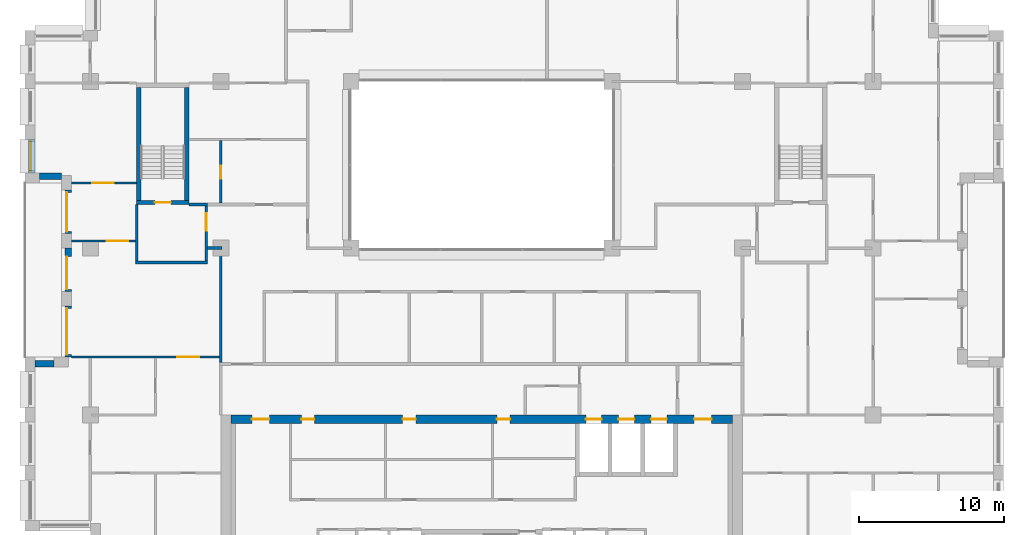
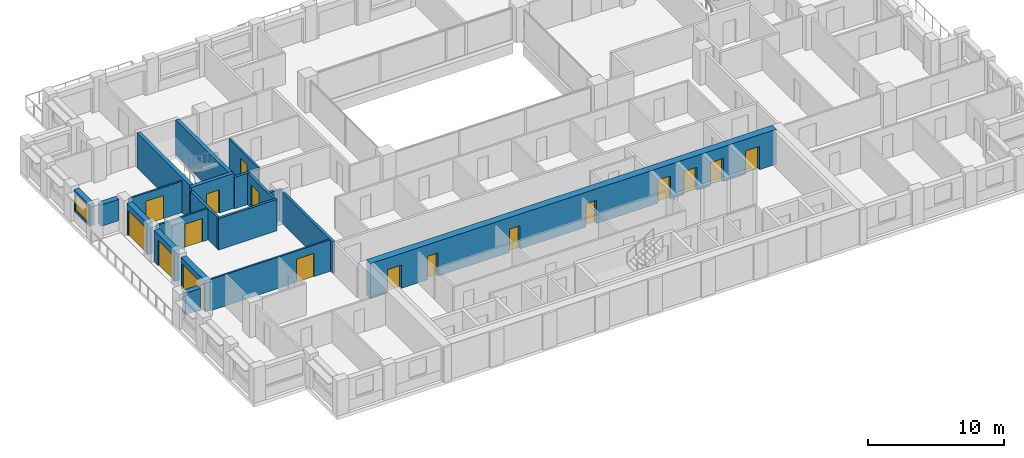
# One storey, part 9 of 16: 20 walls, 17 doors, 1 window, 18 openings.
"""IFC4 building model written with IfcOpenShell, lengths in metres."""

from ifc_helpers import new_model, si_unit, direction, frame, frame_2d, origin, place, context, subcontext, project, spatial, rectangle, extrude, material, layer, layer_set, type_object, element, fill, save


model = new_model("IFC4")

# Units and contexts
model_context = context("Model", 3, precision=1e-05, world=origin(), true_north=direction((0.0, 1.0)))
body_context = subcontext(model_context, "Body", "Model", "MODEL_VIEW")
ifc_project = project(units=[si_unit("LENGTHUNIT", "METRE"), si_unit("AREAUNIT", "SQUARE_METRE"), si_unit("VOLUMEUNIT", "CUBIC_METRE"), si_unit("PLANEANGLEUNIT", "RADIAN"), si_unit("MASSUNIT", "GRAM", prefix="KILO")], contexts=[model_context])

# Site, building, storey
site_placement = place(None, origin())
site = spatial("IfcSite", under=ifc_project, at=site_placement, CompositionType="ELEMENT")
building_placement = place(site_placement, origin())
building = spatial("IfcBuilding", under=site, at=building_placement, Name="Brigalow Station Residences", CompositionType="ELEMENT")
storey_placement = place(building_placement, frame((0.0, 0.0, 179.10009765625)))
storey = spatial("IfcBuildingStorey", under=building, at=storey_placement, Name="L52", CompositionType="ELEMENT", Elevation=179.10009765625)

# Wall, opening, window
ifc_material_1 = material(Name="Clay brick masonry", Category="masonry")
ifc_layer_1 = layer(ifc_material_1, 0.449951171875)
ifc_layer_set_1 = layer_set([ifc_layer_1], Name="BRICK INFILL WALL 450")
wall_type_1 = type_object("IfcWallType", Name="BRICK INFILL WALL 450", PredefinedType="SOLIDWALL", material=ifc_layer_set_1)
wall_1_placement = place(storey_placement, frame((4.97509765625, 31.5, 0.89990234375), z_axis=(0.0, 0.0, 1.0), x_axis=(0.0, -1.0, 0.0)))
wall_1 = element("IfcWall", 1, at=wall_1_placement, inside=storey, type_object=wall_type_1, Name="L52/ewall/W-L52-39", PredefinedType="SOLIDWALL", context=body_context, shape_type="SweptSolid", body=[
    extrude(rectangle(XDim=2.300048828125, YDim=0.449951171875, at=frame_2d((1.14990234375, 0.0))), origin(), (0.0, 0.0, 1.0), 1.929931640625),
])
opening_1_placement = place(wall_1_placement, frame((0.14990234375, 0.0, 0.14990234375)))
opening_1 = element("IfcOpeningElement", 2, at=opening_1_placement, cuts=wall_1, Name="Opening WT-7", PredefinedType="OPENING", context=body_context, shape_type="SweptSolid", body=[
    extrude(rectangle(XDim=2.0, YDim=1.5, at=frame_2d((1.0, 0.75))), frame((0.0, 0.23486328125, 0.0), z_axis=(0.0, -1.0, 0.0), x_axis=(1.0, 0.0, 0.0)), (0.0, 0.0, 1.0), 0.469970703125),
])
ifc_material_2 = material(Name="Anodised aluminium frame with double glazing", Category="aluminium")
window_type = type_object("IfcWindowType", Name="WINDOW 2000x1500", PartitioningType="SINGLE_PANEL", PredefinedType="WINDOW", material=ifc_material_2)
window_placement = place(opening_1_placement, origin())
window = element("IfcWindow", 3, at=window_placement, inside=storey, type_object=window_type, Name="L52/window/W-L52-39", OverallHeight=1.5, OverallWidth=2.0, PartitioningType="SINGLE_PANEL", PredefinedType="WINDOW", context=body_context, shape_type="SweptSolid", body=[
    extrude(rectangle(XDim=2.0, YDim=1.5, at=frame_2d((1.0, 0.75))), frame((0.0, -0.06494140625, 0.0), z_axis=(0.0, -1.0, 0.0), x_axis=(1.0, 0.0, 0.0)), (0.0, 0.0, 1.0), 0.06005859375),
])
fill(opening_1, window)

# Wall
wall_2_placement = place(storey_placement, frame((5.5, 28.97509765625, 0.89990234375), z_axis=(0.0, 0.0, 1.0), x_axis=(1.0, 0.0, 0.0)))
element("IfcWall", 4, at=wall_2_placement, inside=storey, type_object=wall_type_1, Name="L52/ewall/W-L52-40", PredefinedType="SOLIDWALL", context=body_context, shape_type="SweptSolid", body=[
    extrude(rectangle(XDim=1.5, YDim=0.449951171875, at=frame_2d((0.75, 0.0))), origin(), (0.0, 0.0, 1.0), 1.929931640625),
])

# Wall, opening, door
wall_3_placement = place(storey_placement, frame((7.47509765625, 28.0, 0.0), z_axis=(0.0, 0.0, 1.0), x_axis=(0.0, -1.0, 0.0)))
wall_3 = element("IfcWall", 5, at=wall_3_placement, inside=storey, type_object=wall_type_1, Name="L52/ewall/W-L52-41", PredefinedType="SOLIDWALL", context=body_context, shape_type="SweptSolid", body=[
    extrude(rectangle(XDim=3.0, YDim=0.449951171875, at=frame_2d((1.5, 0.0))), origin(), (0.0, 0.0, 1.0), 2.829833984375),
])
opening_2_placement = place(wall_3_placement, frame((0.14990234375, 0.0, 0.0)))
opening_2 = element("IfcOpeningElement", 6, at=opening_2_placement, cuts=wall_3, Name="Opening D-B2700", PredefinedType="OPENING", context=body_context, shape_type="SweptSolid", body=[
    extrude(rectangle(XDim=2.699951171875, YDim=2.300048828125, at=frame_2d((1.35009765625, 1.14990234375))), frame((0.0, 0.23486328125, 0.0), z_axis=(0.0, -1.0, 0.0), x_axis=(1.0, 0.0, 0.0)), (0.0, 0.0, 1.0), 0.469970703125),
])
ifc_material_3 = material(Name="Anodised aluminium frame with double glazing", Category="aluminium")
door_type_1 = type_object("IfcDoorType", Name="BALCONY SLIDING DOOR 2700x2300", OperationType="SLIDING_TO_LEFT", PredefinedType="DOOR", material=ifc_material_3)
door_1_placement = place(opening_2_placement, origin())
door_1 = element("IfcDoor", 7, at=door_1_placement, inside=storey, type_object=door_type_1, Name="L52/balcony-door/W-L52-41", OperationType="SLIDING_TO_LEFT", OverallHeight=2.300048828125, OverallWidth=2.699951171875, PredefinedType="DOOR", context=body_context, shape_type="SweptSolid", body=[
    extrude(rectangle(XDim=2.699951171875, YDim=2.300048828125, at=frame_2d((1.35009765625, 1.14990234375))), frame((0.0, -0.06982421875, 0.0), z_axis=(0.0, -1.0, 0.0), x_axis=(1.0, 0.0, 0.0)), (0.0, 0.0, 1.0), 0.050048828125),
])
fill(opening_2, door_1)

wall_4_placement = place(storey_placement, frame((7.47509765625, 24.0, 0.0), z_axis=(0.0, 0.0, 1.0), x_axis=(0.0, -1.0, 0.0)))
wall_4 = element("IfcWall", 8, at=wall_4_placement, inside=storey, type_object=wall_type_1, Name="L52/ewall/W-L52-42", PredefinedType="SOLIDWALL", context=body_context, shape_type="SweptSolid", body=[
    extrude(rectangle(XDim=3.0, YDim=0.449951171875, at=frame_2d((1.5, 0.0))), origin(), (0.0, 0.0, 1.0), 2.829833984375),
])
opening_3_placement = place(wall_4_placement, frame((0.5849609375, 0.0, 0.0)))
opening_3 = element("IfcOpeningElement", 9, at=opening_3_placement, cuts=wall_4, Name="Opening D-B2250", PredefinedType="OPENING", context=body_context, shape_type="SweptSolid", body=[
    extrude(rectangle(XDim=2.25, YDim=2.300048828125, at=frame_2d((1.125, 1.14990234375))), frame((0.0, 0.23486328125, 0.0), z_axis=(0.0, -1.0, 0.0), x_axis=(1.0, 0.0, 0.0)), (0.0, 0.0, 1.0), 0.469970703125),
])
ifc_material_4 = material(Name="Anodised aluminium frame with double glazing", Category="aluminium")
door_type_2 = type_object("IfcDoorType", Name="BALCONY SLIDING DOOR 2250x2300", OperationType="SLIDING_TO_LEFT", PredefinedType="DOOR", material=ifc_material_4)
door_2_placement = place(opening_3_placement, origin())
door_2 = element("IfcDoor", 10, at=door_2_placement, inside=storey, type_object=door_type_2, Name="L52/balcony-door/W-L52-42", OperationType="SLIDING_TO_LEFT", OverallHeight=2.300048828125, OverallWidth=2.25, PredefinedType="DOOR", context=body_context, shape_type="SweptSolid", body=[
    extrude(rectangle(XDim=2.25, YDim=2.300048828125, at=frame_2d((1.125, 1.14990234375))), frame((0.0, -0.06982421875, 0.0), z_axis=(0.0, -1.0, 0.0), x_axis=(1.0, 0.0, 0.0)), (0.0, 0.0, 1.0), 0.050048828125),
])
fill(opening_3, door_2)

wall_5_placement = place(storey_placement, frame((7.47509765625, 20.0, 0.0), z_axis=(0.0, 0.0, 1.0), x_axis=(0.0, -1.0, 0.0)))
wall_5 = element("IfcWall", 11, at=wall_5_placement, inside=storey, type_object=wall_type_1, Name="L52/ewall/W-L52-43", PredefinedType="SOLIDWALL", context=body_context, shape_type="SweptSolid", body=[
    extrude(rectangle(XDim=3.5, YDim=0.449951171875, at=frame_2d((1.75, 0.0))), origin(), (0.0, 0.0, 1.0), 2.829833984375),
])
opening_4_placement = place(wall_5_placement, frame((0.14990234375, 0.0, 0.0)))
opening_4 = element("IfcOpeningElement", 12, at=opening_4_placement, cuts=wall_5, Name="Opening D-B3200", PredefinedType="OPENING", context=body_context, shape_type="SweptSolid", body=[
    extrude(rectangle(XDim=3.199951171875, YDim=2.300048828125, at=frame_2d((1.60009765625, 1.14990234375))), frame((0.0, 0.23486328125, 0.0), z_axis=(0.0, -1.0, 0.0), x_axis=(1.0, 0.0, 0.0)), (0.0, 0.0, 1.0), 0.469970703125),
])
ifc_material_5 = material(Name="Anodised aluminium frame with double glazing", Category="aluminium")
door_type_3 = type_object("IfcDoorType", Name="BALCONY SLIDING DOOR 3200x2300", OperationType="SLIDING_TO_LEFT", PredefinedType="DOOR", material=ifc_material_5)
door_3_placement = place(opening_4_placement, origin())
door_3 = element("IfcDoor", 13, at=door_3_placement, inside=storey, type_object=door_type_3, Name="L52/balcony-door/W-L52-43", OperationType="SLIDING_TO_LEFT", OverallHeight=2.300048828125, OverallWidth=3.199951171875, PredefinedType="DOOR", context=body_context, shape_type="SweptSolid", body=[
    extrude(rectangle(XDim=3.199951171875, YDim=2.300048828125, at=frame_2d((1.60009765625, 1.14990234375))), frame((0.0, -0.06982421875, 0.0), z_axis=(0.0, -1.0, 0.0), x_axis=(1.0, 0.0, 0.0)), (0.0, 0.0, 1.0), 0.050048828125),
])
fill(opening_4, door_3)

# Wall
wall_6_placement = place(storey_placement, frame((6.5, 16.02490234375, 0.89990234375), z_axis=(0.0, 0.0, 1.0), x_axis=(-1.0, 0.0, 0.0)))
element("IfcWall", 14, at=wall_6_placement, inside=storey, type_object=wall_type_1, Name="L52/ewall/W-L52-44", PredefinedType="SOLIDWALL", context=body_context, shape_type="SweptSolid", body=[
    extrude(rectangle(XDim=1.300048828125, YDim=0.449951171875, at=frame_2d((0.64990234375, 0.0))), origin(), (0.0, 0.0, 1.0), 1.929931640625),
])

# Wall, opening, door
ifc_material_6 = material(Name="Concrete C65", Category="concrete")
ifc_layer_2 = layer(ifc_material_6, 0.300048828125)
ifc_layer_set_2 = layer_set([ifc_layer_2], Name="CORE SHEAR WALL 300 C65")
wall_type_2 = type_object("IfcWallType", Name="CORE SHEAR WALL 300 C65", PredefinedType="SHEAR", material=ifc_layer_set_2)
wall_7_placement = place(storey_placement, frame((12.199951171875, 27.14990234375, 0.0), z_axis=(0.0, 0.0, 1.0), x_axis=(1.0, 0.0, 0.0)))
wall_7 = element("IfcWall", 15, at=wall_7_placement, inside=storey, type_object=wall_type_2, Name="CORE WALL ST-S1-S L52", PredefinedType="SHEAR", context=body_context, shape_type="SweptSolid", body=[
    extrude(rectangle(XDim=3.60009765625, YDim=0.300048828125, at=frame_2d((1.800048828125, 0.0))), origin(), (0.0, 0.0, 1.0), 3.14990234375),
])
opening_5_placement = place(wall_7_placement, frame((1.25, 0.0, 0.0)))
opening_5 = element("IfcOpeningElement", 16, at=opening_5_placement, cuts=wall_7, Name="Opening D-5015", PredefinedType="OPENING", context=body_context, shape_type="SweptSolid", body=[
    extrude(rectangle(XDim=1.10009765625, YDim=2.10009765625, at=frame_2d((0.550048828125, 1.050048828125))), frame((0.0, 0.16015625, 0.0), z_axis=(0.0, -1.0, 0.0), x_axis=(1.0, 0.0, 0.0)), (0.0, 0.0, 1.0), 0.320068359375),
])
ifc_material_7 = material(Name="Steel fire door leaf in steel frame", Category="steel")
door_type_4 = type_object("IfcDoorType", Name="STAIR DOOR 1100 x 2100 FD60S", OperationType="SINGLE_SWING_LEFT", PredefinedType="DOOR", material=ifc_material_7)
door_4_placement = place(opening_5_placement, origin())
door_4 = element("IfcDoor", 17, at=door_4_placement, inside=storey, type_object=door_type_4, Name="D-5015", OperationType="SINGLE_SWING_LEFT", OverallHeight=2.10009765625, OverallWidth=1.10009765625, PredefinedType="DOOR", context=body_context, shape_type="SweptSolid", body=[
    extrude(rectangle(XDim=1.10009765625, YDim=2.10009765625, at=frame_2d((0.550048828125, 1.050048828125))), frame((0.0, 0.02490234375, 0.0), z_axis=(0.0, -1.0, 0.0), x_axis=(1.0, 0.0, 0.0)), (0.0, 0.0, 1.0), 0.050048828125),
])
fill(opening_5, door_4)

# Walls
for number, where, z_axis, x_axis, name in (
    (18, (12.35009765625, 27.300048828125, 0.0), (0.0, 0.0, 1.0), (0.0, 1.0, 0.0), "CORE WALL ST-S1-W L52"),
    (19, (15.64990234375, 27.300048828125, 0.0), (0.0, 0.0, 1.0), (0.0, 1.0, 0.0), "CORE WALL ST-S1-E L52"),
):
    element("IfcWall", number, at=place(storey_placement, frame(where, z_axis=z_axis, x_axis=x_axis)), inside=storey, type_object=wall_type_2, Name=name, PredefinedType="SHEAR", context=body_context, shape_type="SweptSolid", body=[
        extrude(rectangle(XDim=7.800048828125, YDim=0.300048828125, at=frame_2d((3.89990234375, 0.0))), origin(), (0.0, 0.0, 1.0), 3.14990234375),
    ])

# Wall, openings, doors
ifc_material_8 = material(Name="Concrete C65", Category="concrete")
ifc_layer_3 = layer(ifc_material_8, 0.60009765625)
ifc_layer_set_3 = layer_set([ifc_layer_3], Name="CORE SHEAR WALL 600 C65")
wall_type_3 = type_object("IfcWallType", Name="CORE SHEAR WALL 600 C65", PredefinedType="SHEAR", material=ifc_layer_set_3)
wall_8_placement = place(storey_placement, frame((18.699951171875, 12.199951171875, 0.0), z_axis=(0.0, 0.0, 1.0), x_axis=(1.0, 0.0, 0.0)))
wall_8 = element("IfcWall", 20, at=wall_8_placement, inside=storey, type_object=wall_type_3, Name="CORE WALL OUT-N L52", PredefinedType="SHEAR", context=body_context, shape_type="SweptSolid", body=[
    extrude(rectangle(XDim=34.60009765625, YDim=0.60009765625, at=frame_2d((17.300048828125, 0.0))), origin(), (0.0, 0.0, 1.0), 3.14990234375),
])
opening_6_placement = place(wall_8_placement, frame((24.47509765625, 0.0, 0.0)))
opening_6 = element("IfcOpeningElement", 21, at=opening_6_placement, cuts=wall_8, Name="Opening LD-LF1", PredefinedType="OPENING", context=body_context, shape_type="SweptSolid", body=[
    extrude(rectangle(XDim=1.10009765625, YDim=2.10009765625, at=frame_2d((0.550048828125, 1.050048828125))), frame((0.0, 0.31005859375, 0.0), z_axis=(0.0, -1.0, 0.0), x_axis=(1.0, 0.0, 0.0)), (0.0, 0.0, 1.0), 0.6201171875),
])
opening_7_placement = place(wall_8_placement, frame((26.72509765625, 0.0, 0.0)))
opening_7 = element("IfcOpeningElement", 22, at=opening_7_placement, cuts=wall_8, Name="Opening LD-LF2", PredefinedType="OPENING", context=body_context, shape_type="SweptSolid", body=[
    extrude(rectangle(XDim=1.10009765625, YDim=2.10009765625, at=frame_2d((0.550048828125, 1.050048828125))), frame((0.0, 0.31005859375, 0.0), z_axis=(0.0, -1.0, 0.0), x_axis=(1.0, 0.0, 0.0)), (0.0, 0.0, 1.0), 0.6201171875),
])
opening_8_placement = place(wall_8_placement, frame((28.97509765625, 0.0, 0.0)))
opening_8 = element("IfcOpeningElement", 23, at=opening_8_placement, cuts=wall_8, Name="Opening LD-LG1", PredefinedType="OPENING", context=body_context, shape_type="SweptSolid", body=[
    extrude(rectangle(XDim=1.10009765625, YDim=2.10009765625, at=frame_2d((0.550048828125, 1.050048828125))), frame((0.0, 0.31005859375, 0.0), z_axis=(0.0, -1.0, 0.0), x_axis=(1.0, 0.0, 0.0)), (0.0, 0.0, 1.0), 0.6201171875),
])
opening_9_placement = place(wall_8_placement, frame((4.85009765625, 0.0, 0.0)))
opening_9 = element("IfcOpeningElement", 24, at=opening_9_placement, cuts=wall_8, Name="Opening D-5118", PredefinedType="OPENING", context=body_context, shape_type="SweptSolid", body=[
    extrude(rectangle(XDim=0.89990234375, YDim=2.10009765625, at=frame_2d((0.449951171875, 1.050048828125))), frame((0.0, 0.31005859375, 0.0), z_axis=(0.0, -1.0, 0.0), x_axis=(1.0, 0.0, 0.0)), (0.0, 0.0, 1.0), 0.6201171875),
])
opening_10_placement = place(wall_8_placement, frame((11.85009765625, 0.0, 0.0)))
opening_10 = element("IfcOpeningElement", 25, at=opening_10_placement, cuts=wall_8, Name="Opening D-5122", PredefinedType="OPENING", context=body_context, shape_type="SweptSolid", body=[
    extrude(rectangle(XDim=0.89990234375, YDim=2.10009765625, at=frame_2d((0.449951171875, 1.050048828125))), frame((0.0, 0.31005859375, 0.0), z_axis=(0.0, -1.0, 0.0), x_axis=(1.0, 0.0, 0.0)), (0.0, 0.0, 1.0), 0.6201171875),
])
opening_11_placement = place(wall_8_placement, frame((18.35009765625, 0.0, 0.0)))
opening_11 = element("IfcOpeningElement", 26, at=opening_11_placement, cuts=wall_8, Name="Opening D-5119", PredefinedType="OPENING", context=body_context, shape_type="SweptSolid", body=[
    extrude(rectangle(XDim=0.89990234375, YDim=2.10009765625, at=frame_2d((0.449951171875, 1.050048828125))), frame((0.0, 0.31005859375, 0.0), z_axis=(0.0, -1.0, 0.0), x_axis=(1.0, 0.0, 0.0)), (0.0, 0.0, 1.0), 0.6201171875),
])
opening_12_placement = place(wall_8_placement, frame((1.449951171875, 0.0, 0.0)))
opening_12 = element("IfcOpeningElement", 27, at=opening_12_placement, cuts=wall_8, Name="Opening D-5011", PredefinedType="OPENING", context=body_context, shape_type="SweptSolid", body=[
    extrude(rectangle(XDim=1.199951171875, YDim=2.10009765625, at=frame_2d((0.60009765625, 1.050048828125))), frame((0.0, 0.31005859375, 0.0), z_axis=(0.0, -1.0, 0.0), x_axis=(1.0, 0.0, 0.0)), (0.0, 0.0, 1.0), 0.6201171875),
])
opening_13_placement = place(wall_8_placement, frame((31.949951171875, 0.0, 0.0)))
opening_13 = element("IfcOpeningElement", 28, at=opening_13_placement, cuts=wall_8, Name="Opening D-5012", PredefinedType="OPENING", context=body_context, shape_type="SweptSolid", body=[
    extrude(rectangle(XDim=1.199951171875, YDim=2.10009765625, at=frame_2d((0.60009765625, 1.050048828125))), frame((0.0, 0.31005859375, 0.0), z_axis=(0.0, -1.0, 0.0), x_axis=(1.0, 0.0, 0.0)), (0.0, 0.0, 1.0), 0.6201171875),
])
ifc_material_9 = material(Name="Steel fire door leaf in steel frame", Category="steel")
door_type_5 = type_object("IfcDoorType", Name="CORE CORRIDOR DOOR 1200 x 2100 FD60S", OperationType="SINGLE_SWING_LEFT", PredefinedType="DOOR", material=ifc_material_9)
door_5_placement = place(opening_12_placement, frame((1.199951171875, 0.0, 0.0), z_axis=(0.0, 0.0, 1.0), x_axis=(-1.0, 0.0, 0.0)))
door_5 = element("IfcDoor", 29, at=door_5_placement, inside=storey, type_object=door_type_5, Name="D-5011", OperationType="SINGLE_SWING_LEFT", OverallHeight=2.10009765625, OverallWidth=1.199951171875, PredefinedType="DOOR", context=body_context, shape_type="SweptSolid", body=[
    extrude(rectangle(XDim=1.199951171875, YDim=2.10009765625, at=frame_2d((0.60009765625, 1.050048828125))), frame((0.0, 0.02490234375, 0.0), z_axis=(0.0, -1.0, 0.0), x_axis=(1.0, 0.0, 0.0)), (0.0, 0.0, 1.0), 0.050048828125),
])
fill(opening_12, door_5)
door_6_placement = place(opening_13_placement, frame((1.199951171875, 0.0, 0.0), z_axis=(0.0, 0.0, 1.0), x_axis=(-1.0, 0.0, 0.0)))
door_6 = element("IfcDoor", 30, at=door_6_placement, inside=storey, type_object=door_type_5, Name="D-5012", OperationType="SINGLE_SWING_LEFT", OverallHeight=2.10009765625, OverallWidth=1.199951171875, PredefinedType="DOOR", context=body_context, shape_type="SweptSolid", body=[
    extrude(rectangle(XDim=1.199951171875, YDim=2.10009765625, at=frame_2d((0.60009765625, 1.050048828125))), frame((0.0, 0.02490234375, 0.0), z_axis=(0.0, -1.0, 0.0), x_axis=(1.0, 0.0, 0.0)), (0.0, 0.0, 1.0), 0.050048828125),
])
fill(opening_13, door_6)
ifc_material_10 = material(Name="Stainless steel sliding door leaves", Category="steel")
door_type_6 = type_object("IfcDoorType", Name="LIFT LANDING DOOR 1100 x 2100", OperationType="DOUBLE_DOOR_SLIDING", PredefinedType="DOOR", material=ifc_material_10)
door_7_placement = place(opening_6_placement, origin())
door_7 = element("IfcDoor", 31, at=door_7_placement, inside=storey, type_object=door_type_6, Name="LANDING DOOR LF1", OperationType="DOUBLE_DOOR_SLIDING", OverallHeight=2.10009765625, OverallWidth=1.10009765625, PredefinedType="DOOR", context=body_context, shape_type="SweptSolid", body=[
    extrude(rectangle(XDim=1.10009765625, YDim=2.10009765625, at=frame_2d((0.550048828125, 1.050048828125))), frame((0.0, 0.02490234375, 0.0), z_axis=(0.0, -1.0, 0.0), x_axis=(1.0, 0.0, 0.0)), (0.0, 0.0, 1.0), 0.050048828125),
])
fill(opening_6, door_7)
door_8_placement = place(opening_7_placement, origin())
door_8 = element("IfcDoor", 32, at=door_8_placement, inside=storey, type_object=door_type_6, Name="LANDING DOOR LF2", OperationType="DOUBLE_DOOR_SLIDING", OverallHeight=2.10009765625, OverallWidth=1.10009765625, PredefinedType="DOOR", context=body_context, shape_type="SweptSolid", body=[
    extrude(rectangle(XDim=1.10009765625, YDim=2.10009765625, at=frame_2d((0.550048828125, 1.050048828125))), frame((0.0, 0.02490234375, 0.0), z_axis=(0.0, -1.0, 0.0), x_axis=(1.0, 0.0, 0.0)), (0.0, 0.0, 1.0), 0.050048828125),
])
fill(opening_7, door_8)
door_9_placement = place(opening_8_placement, origin())
door_9 = element("IfcDoor", 33, at=door_9_placement, inside=storey, type_object=door_type_6, Name="LANDING DOOR LG1", OperationType="DOUBLE_DOOR_SLIDING", OverallHeight=2.10009765625, OverallWidth=1.10009765625, PredefinedType="DOOR", context=body_context, shape_type="SweptSolid", body=[
    extrude(rectangle(XDim=1.10009765625, YDim=2.10009765625, at=frame_2d((0.550048828125, 1.050048828125))), frame((0.0, 0.02490234375, 0.0), z_axis=(0.0, -1.0, 0.0), x_axis=(1.0, 0.0, 0.0)), (0.0, 0.0, 1.0), 0.050048828125),
])
fill(opening_8, door_9)
ifc_material_11 = material(Name="Steel door leaf in steel frame", Category="steel")
door_type_7 = type_object("IfcDoorType", Name="SERVICE ROOM DOOR 900 x 2100 FD60", OperationType="SINGLE_SWING_LEFT", PredefinedType="DOOR", material=ifc_material_11)
door_10_placement = place(opening_9_placement, frame((0.89990234375, 0.0, 0.0), z_axis=(0.0, 0.0, 1.0), x_axis=(-1.0, 0.0, 0.0)))
door_10 = element("IfcDoor", 34, at=door_10_placement, inside=storey, type_object=door_type_7, Name="D-5118", OperationType="SINGLE_SWING_RIGHT", OverallHeight=2.10009765625, OverallWidth=0.89990234375, PredefinedType="DOOR", context=body_context, shape_type="SweptSolid", body=[
    extrude(rectangle(XDim=0.89990234375, YDim=2.10009765625, at=frame_2d((0.449951171875, 1.050048828125))), frame((0.0, 0.02490234375, 0.0), z_axis=(0.0, -1.0, 0.0), x_axis=(1.0, 0.0, 0.0)), (0.0, 0.0, 1.0), 0.050048828125),
])
fill(opening_9, door_10)
door_11_placement = place(opening_10_placement, frame((0.89990234375, 0.0, 0.0), z_axis=(0.0, 0.0, 1.0), x_axis=(-1.0, 0.0, 0.0)))
door_11 = element("IfcDoor", 35, at=door_11_placement, inside=storey, type_object=door_type_7, Name="D-5122", OperationType="SINGLE_SWING_RIGHT", OverallHeight=2.10009765625, OverallWidth=0.89990234375, PredefinedType="DOOR", context=body_context, shape_type="SweptSolid", body=[
    extrude(rectangle(XDim=0.89990234375, YDim=2.10009765625, at=frame_2d((0.449951171875, 1.050048828125))), frame((0.0, 0.02490234375, 0.0), z_axis=(0.0, -1.0, 0.0), x_axis=(1.0, 0.0, 0.0)), (0.0, 0.0, 1.0), 0.050048828125),
])
fill(opening_10, door_11)
door_12_placement = place(opening_11_placement, frame((0.89990234375, 0.0, 0.0), z_axis=(0.0, 0.0, 1.0), x_axis=(-1.0, 0.0, 0.0)))
door_12 = element("IfcDoor", 36, at=door_12_placement, inside=storey, type_object=door_type_7, Name="D-5119", OperationType="SINGLE_SWING_RIGHT", OverallHeight=2.10009765625, OverallWidth=0.89990234375, PredefinedType="DOOR", context=body_context, shape_type="SweptSolid", body=[
    extrude(rectangle(XDim=0.89990234375, YDim=2.10009765625, at=frame_2d((0.449951171875, 1.050048828125))), frame((0.0, 0.02490234375, 0.0), z_axis=(0.0, -1.0, 0.0), x_axis=(1.0, 0.0, 0.0)), (0.0, 0.0, 1.0), 0.050048828125),
])
fill(opening_11, door_12)

# Walls
ifc_material_12 = material(Name="Concrete blockwork", Category="masonry")
ifc_layer_4 = layer(ifc_material_12, 0.199951171875)
ifc_layer_set_4 = layer_set([ifc_layer_4], Name="FIRE RATED CORE PARTITION 200")
wall_type_4 = type_object("IfcWallType", Name="FIRE RATED CORE PARTITION 200", PredefinedType="PARTITIONING", material=ifc_layer_set_4)
wall_9_placement = place(storey_placement, frame((12.10009765625, 23.0, 0.0), z_axis=(0.0, 0.0, 1.0), x_axis=(1.0, 0.0, 0.0)))
element("IfcWall", 37, at=wall_9_placement, inside=storey, type_object=wall_type_4, Name="PW-5023", PredefinedType="PARTITIONING", context=body_context, shape_type="SweptSolid", body=[
    extrude(rectangle(XDim=5.0, YDim=0.199951171875, at=frame_2d((2.5, 0.0))), origin(), (0.0, 0.0, 1.0), 2.829833984375),
])
wall_10_placement = place(storey_placement, frame((15.800048828125, 27.0, 0.0), z_axis=(0.0, 0.0, 1.0), x_axis=(1.0, 0.0, 0.0)))
element("IfcWall", 38, at=wall_10_placement, inside=storey, type_object=wall_type_4, Name="PW-5025", PredefinedType="PARTITIONING", context=body_context, shape_type="SweptSolid", body=[
    extrude(rectangle(XDim=1.300048828125, YDim=0.199951171875, at=frame_2d((0.64990234375, 0.0))), origin(), (0.0, 0.0, 1.0), 2.829833984375),
])
wall_11_placement = place(storey_placement, frame((12.199951171875, 23.10009765625, 0.0), z_axis=(0.0, 0.0, 1.0), x_axis=(0.0, 1.0, 0.0)))
element("IfcWall", 39, at=wall_11_placement, inside=storey, type_object=wall_type_4, Name="PW-5034", PredefinedType="PARTITIONING", context=body_context, shape_type="SweptSolid", body=[
    extrude(rectangle(XDim=3.89990234375, YDim=0.199951171875, at=frame_2d((1.949951171875, 0.0))), origin(), (0.0, 0.0, 1.0), 2.829833984375),
])

# Wall, opening, door
wall_12_placement = place(storey_placement, frame((17.0, 23.10009765625, 0.0), z_axis=(0.0, 0.0, 1.0), x_axis=(0.0, 1.0, 0.0)))
wall_12 = element("IfcWall", 40, at=wall_12_placement, inside=storey, type_object=wall_type_4, Name="PW-5035", PredefinedType="PARTITIONING", context=body_context, shape_type="SweptSolid", body=[
    extrude(rectangle(XDim=3.7998046875, YDim=0.199951171875, at=frame_2d((1.89990234375, 0.0))), origin(), (0.0, 0.0, 1.0), 2.829833984375),
])
opening_14_placement = place(wall_12_placement, frame((2.10009765625, 0.0, 0.0)))
opening_14 = element("IfcOpeningElement", 41, at=opening_14_placement, cuts=wall_12, Name="Opening D-5016", PredefinedType="OPENING", context=body_context, shape_type="SweptSolid", body=[
    extrude(rectangle(XDim=1.199951171875, YDim=2.10009765625, at=frame_2d((0.60009765625, 1.050048828125))), frame((0.0, 0.10986328125, 0.0), z_axis=(0.0, -1.0, 0.0), x_axis=(1.0, 0.0, 0.0)), (0.0, 0.0, 1.0), 0.219970703125),
])
ifc_material_13 = material(Name="Steel fire door leaf in steel frame", Category="steel")
door_type_8 = type_object("IfcDoorType", Name="STAIR LOBBY DOOR 1200 x 2100 FD60S", OperationType="SINGLE_SWING_LEFT", PredefinedType="DOOR", material=ifc_material_13)
door_13_placement = place(opening_14_placement, origin())
door_13 = element("IfcDoor", 42, at=door_13_placement, inside=storey, type_object=door_type_8, Name="D-5016", OperationType="SINGLE_SWING_RIGHT", OverallHeight=2.10009765625, OverallWidth=1.199951171875, PredefinedType="DOOR", context=body_context, shape_type="SweptSolid", body=[
    extrude(rectangle(XDim=1.199951171875, YDim=2.10009765625, at=frame_2d((0.60009765625, 1.050048828125))), frame((0.0, 0.02490234375, 0.0), z_axis=(0.0, -1.0, 0.0), x_axis=(1.0, 0.0, 0.0)), (0.0, 0.0, 1.0), 0.050048828125),
])
fill(opening_14, door_13)

ifc_material_14 = material(Name="Plasterboard on steel stud partition", Category="steel")
ifc_layer_5 = layer(ifc_material_14, 0.14990234375)
ifc_layer_set_5 = layer_set([ifc_layer_5], Name="FLAT PARTITION 150")
wall_type_5 = type_object("IfcWallType", Name="FLAT PARTITION 150", PredefinedType="PARTITIONING", material=ifc_layer_set_5)
wall_13_placement = place(storey_placement, frame((7.699951171875, 28.5, 0.0), z_axis=(0.0, 0.0, 1.0), x_axis=(1.0, 0.0, 0.0)))
wall_13 = element("IfcWall", 43, at=wall_13_placement, inside=storey, type_object=wall_type_5, Name="PW-3F16", PredefinedType="PARTITIONING", context=body_context, shape_type="SweptSolid", body=[
    extrude(rectangle(XDim=4.5, YDim=0.14990234375, at=frame_2d((2.25, 0.0))), origin(), (0.0, 0.0, 1.0), 2.829833984375),
])
opening_15_placement = place(wall_13_placement, frame((1.425048828125, 0.0, 0.0)))
opening_15 = element("IfcOpeningElement", 44, at=opening_15_placement, cuts=wall_13, Name="Opening D-3F10", PredefinedType="OPENING", context=body_context, shape_type="SweptSolid", body=[
    extrude(rectangle(XDim=1.5, YDim=2.10009765625, at=frame_2d((0.75, 1.050048828125))), frame((0.0, 0.0849609375, 0.0), z_axis=(0.0, -1.0, 0.0), x_axis=(1.0, 0.0, 0.0)), (0.0, 0.0, 1.0), 0.169921875),
])
ifc_material_15 = material(Name="Solid-core timber door leaf", Category="wood")
door_type_9 = type_object("IfcDoorType", Name="INTERNAL DOUBLE DOOR 1500 x 2100", OperationType="DOUBLE_DOOR_SINGLE_SWING", PredefinedType="DOOR", material=ifc_material_15)
door_14_placement = place(opening_15_placement, frame((1.5, 0.0, 0.0), z_axis=(0.0, 0.0, 1.0), x_axis=(-1.0, 0.0, 0.0)))
door_14 = element("IfcDoor", 45, at=door_14_placement, inside=storey, type_object=door_type_9, Name="D-3F10", OperationType="DOUBLE_DOOR_SINGLE_SWING", OverallHeight=2.10009765625, OverallWidth=1.5, PredefinedType="DOOR", context=body_context, shape_type="SweptSolid", body=[
    extrude(rectangle(XDim=1.5, YDim=2.10009765625, at=frame_2d((0.75, 1.050048828125))), frame((0.0, 0.02490234375, 0.0), z_axis=(0.0, -1.0, 0.0), x_axis=(1.0, 0.0, 0.0)), (0.0, 0.0, 1.0), 0.050048828125),
])
fill(opening_15, door_14)

wall_14_placement = place(storey_placement, frame((7.699951171875, 24.5, 0.0), z_axis=(0.0, 0.0, 1.0), x_axis=(1.0, 0.0, 0.0)))
wall_14 = element("IfcWall", 46, at=wall_14_placement, inside=storey, type_object=wall_type_5, Name="PW-3F17", PredefinedType="PARTITIONING", context=body_context, shape_type="SweptSolid", body=[
    extrude(rectangle(XDim=4.400146484375, YDim=0.14990234375, at=frame_2d((2.2001953125, 0.0))), origin(), (0.0, 0.0, 1.0), 2.829833984375),
])
opening_16_placement = place(wall_14_placement, frame((2.425048828125, 0.0, 0.0)))
opening_16 = element("IfcOpeningElement", 47, at=opening_16_placement, cuts=wall_14, Name="Opening D-3F11", PredefinedType="OPENING", context=body_context, shape_type="SweptSolid", body=[
    extrude(rectangle(XDim=1.5, YDim=2.10009765625, at=frame_2d((0.75, 1.050048828125))), frame((0.0, 0.0849609375, 0.0), z_axis=(0.0, -1.0, 0.0), x_axis=(1.0, 0.0, 0.0)), (0.0, 0.0, 1.0), 0.169921875),
])
door_15_placement = place(opening_16_placement, origin())
door_15 = element("IfcDoor", 48, at=door_15_placement, inside=storey, type_object=door_type_9, Name="D-3F11", OperationType="DOUBLE_DOOR_SINGLE_SWING", OverallHeight=2.10009765625, OverallWidth=1.5, PredefinedType="DOOR", context=body_context, shape_type="SweptSolid", body=[
    extrude(rectangle(XDim=1.5, YDim=2.10009765625, at=frame_2d((0.75, 1.050048828125))), frame((0.0, 0.02490234375, 0.0), z_axis=(0.0, -1.0, 0.0), x_axis=(1.0, 0.0, 0.0)), (0.0, 0.0, 1.0), 0.050048828125),
])
fill(opening_16, door_15)

wall_15_placement = place(storey_placement, frame((7.699951171875, 16.5, 0.0), z_axis=(0.0, 0.0, 1.0), x_axis=(1.0, 0.0, 0.0)))
wall_15 = element("IfcWall", 49, at=wall_15_placement, inside=storey, type_object=wall_type_5, Name="PW-3F19", PredefinedType="PARTITIONING", context=body_context, shape_type="SweptSolid", body=[
    extrude(rectangle(XDim=10.199951171875, YDim=0.14990234375, at=frame_2d((5.10009765625, 0.0))), origin(), (0.0, 0.0, 1.0), 2.829833984375),
])
opening_17_placement = place(wall_15_placement, frame((7.300048828125, 0.0, 0.0)))
opening_17 = element("IfcOpeningElement", 50, at=opening_17_placement, cuts=wall_15, Name="Opening D-3F12", PredefinedType="OPENING", context=body_context, shape_type="SweptSolid", body=[
    extrude(rectangle(XDim=1.5, YDim=2.10009765625, at=frame_2d((0.75, 1.050048828125))), frame((0.0, 0.0849609375, 0.0), z_axis=(0.0, -1.0, 0.0), x_axis=(1.0, 0.0, 0.0)), (0.0, 0.0, 1.0), 0.169921875),
])
door_16_placement = place(opening_17_placement, frame((1.5, 0.0, 0.0), z_axis=(0.0, 0.0, 1.0), x_axis=(-1.0, 0.0, 0.0)))
door_16 = element("IfcDoor", 51, at=door_16_placement, inside=storey, type_object=door_type_9, Name="D-3F12", OperationType="DOUBLE_DOOR_SINGLE_SWING", OverallHeight=2.10009765625, OverallWidth=1.5, PredefinedType="DOOR", context=body_context, shape_type="SweptSolid", body=[
    extrude(rectangle(XDim=1.5, YDim=2.10009765625, at=frame_2d((0.75, 1.050048828125))), frame((0.0, 0.02490234375, 0.0), z_axis=(0.0, -1.0, 0.0), x_axis=(1.0, 0.0, 0.0)), (0.0, 0.0, 1.0), 0.050048828125),
])
fill(opening_17, door_16)

wall_16_placement = place(storey_placement, frame((18.0, 27.10009765625, 0.0), z_axis=(0.0, 0.0, 1.0), x_axis=(0.0, 1.0, 0.0)))
wall_16 = element("IfcWall", 52, at=wall_16_placement, inside=storey, type_object=wall_type_5, Name="PW-3F28", PredefinedType="PARTITIONING", context=body_context, shape_type="SweptSolid", body=[
    extrude(rectangle(XDim=4.324951171875, YDim=0.14990234375, at=frame_2d((2.16259765625, 0.0))), origin(), (0.0, 0.0, 1.0), 2.829833984375),
])
opening_18_placement = place(wall_16_placement, frame((1.699951171875, 0.0, 0.0)))
opening_18 = element("IfcOpeningElement", 53, at=opening_18_placement, cuts=wall_16, Name="Opening D-3F04", PredefinedType="OPENING", context=body_context, shape_type="SweptSolid", body=[
    extrude(rectangle(XDim=0.89990234375, YDim=2.10009765625, at=frame_2d((0.449951171875, 1.050048828125))), frame((0.0, 0.0849609375, 0.0), z_axis=(0.0, -1.0, 0.0), x_axis=(1.0, 0.0, 0.0)), (0.0, 0.0, 1.0), 0.169921875),
])
ifc_material_16 = material(Name="Solid-core timber door leaf", Category="wood")
door_type_10 = type_object("IfcDoorType", Name="INTERNAL DOOR 900 x 2100", OperationType="SINGLE_SWING_LEFT", PredefinedType="DOOR", material=ifc_material_16)
door_17_placement = place(opening_18_placement, origin())
door_17 = element("IfcDoor", 54, at=door_17_placement, inside=storey, type_object=door_type_10, Name="D-3F04", OperationType="SINGLE_SWING_LEFT", OverallHeight=2.10009765625, OverallWidth=0.89990234375, PredefinedType="DOOR", context=body_context, shape_type="SweptSolid", body=[
    extrude(rectangle(XDim=0.89990234375, YDim=2.10009765625, at=frame_2d((0.449951171875, 1.050048828125))), frame((0.0, 0.02490234375, 0.0), z_axis=(0.0, -1.0, 0.0), x_axis=(1.0, 0.0, 0.0)), (0.0, 0.0, 1.0), 0.050048828125),
])
fill(opening_18, door_17)

# Walls
ifc_material_17 = material(Name="Plasterboard on steel stud partition", Category="steel")
ifc_layer_6 = layer(ifc_material_17, 0.199951171875)
ifc_layer_set_6 = layer_set([ifc_layer_6], Name="PARTY AND CORRIDOR WALL 200")
wall_type_6 = type_object("IfcWallType", Name="PARTY AND CORRIDOR WALL 200", PredefinedType="PARTITIONING", material=ifc_layer_set_6)
wall_17_placement = place(storey_placement, frame((17.10009765625, 24.0, 0.0), z_axis=(0.0, 0.0, 1.0), x_axis=(1.0, 0.0, 0.0)))
element("IfcWall", 55, at=wall_17_placement, inside=storey, type_object=wall_type_6, Name="PW-3F03", PredefinedType="PARTITIONING", context=body_context, shape_type="SweptSolid", body=[
    extrude(rectangle(XDim=1.0, YDim=0.199951171875, at=frame_2d((0.5, 0.0))), origin(), (0.0, 0.0, 1.0), 2.829833984375),
])
wall_18_placement = place(storey_placement, frame((18.0, 16.10009765625, 0.0), z_axis=(0.0, 0.0, 1.0), x_axis=(0.0, 1.0, 0.0)))
element("IfcWall", 56, at=wall_18_placement, inside=storey, type_object=wall_type_6, Name="PW-3F29", PredefinedType="PARTITIONING", context=body_context, shape_type="SweptSolid", body=[
    extrude(rectangle(XDim=7.7998046875, YDim=0.199951171875, at=frame_2d((3.89990234375, 0.0))), origin(), (0.0, 0.0, 1.0), 2.829833984375),
])

save(model, "model.ifc")
